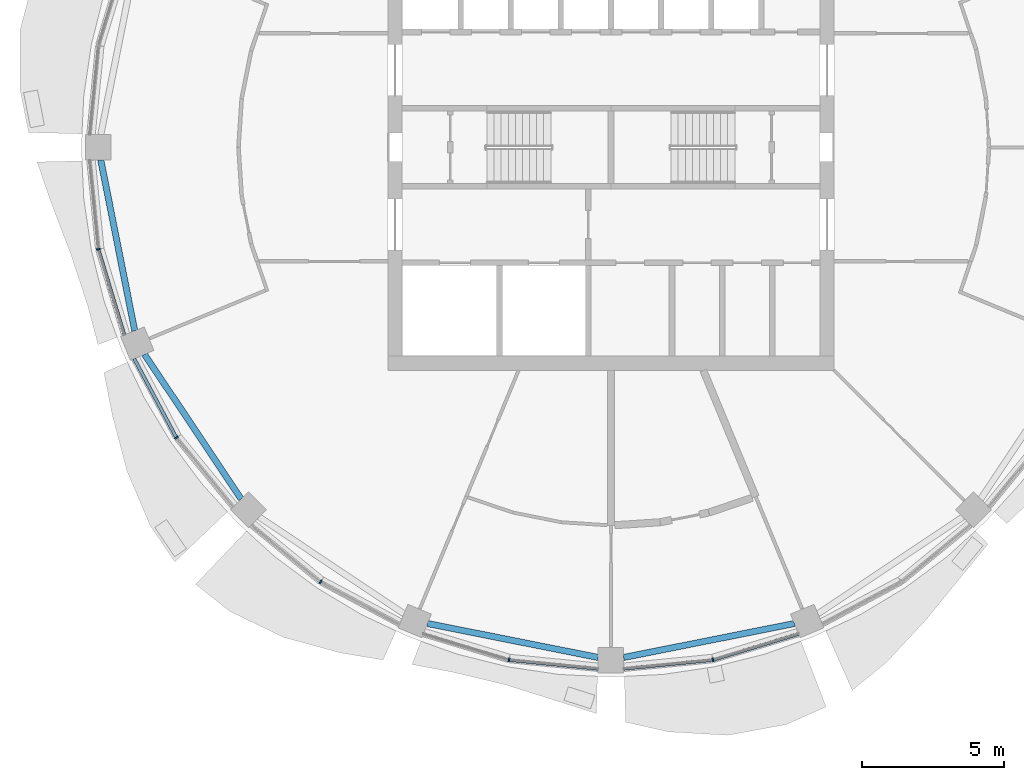
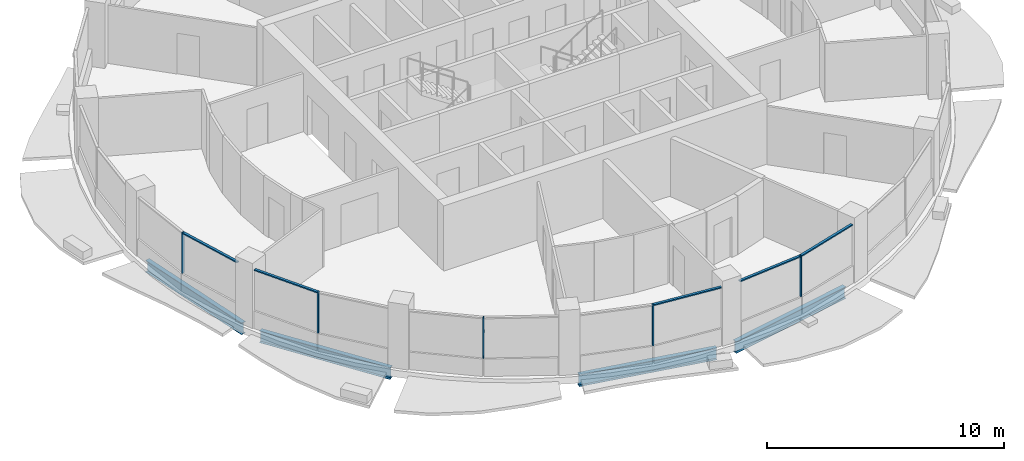
# One storey, part 2 of 15: 10 members, 4 beams, 5 elements without a shape of their own.
"""IFC4 building model written with IfcOpenShell, lengths in metres."""

from ifc_helpers import new_model, si_unit, direction, frame, origin, origin_2d, place, context, subcontext, project, spatial, rectangle, i_section, extrude, material, material_profile, profile_set, type_object, element, aggregate, save


model = new_model("IFC4")

# Units and contexts
model_context = context("Model", 3, precision=1e-05, world=origin(), true_north=direction((0.0, 1.0)))
body_context = subcontext(model_context, "Body", "Model", "MODEL_VIEW")
ifc_project = project(units=[si_unit("LENGTHUNIT", "METRE"), si_unit("AREAUNIT", "SQUARE_METRE"), si_unit("VOLUMEUNIT", "CUBIC_METRE"), si_unit("PLANEANGLEUNIT", "RADIAN"), si_unit("MASSUNIT", "GRAM", prefix="KILO")], contexts=[model_context])

# Site, building, storey
site_placement = place(None, origin())
site = spatial("IfcSite", under=ifc_project, at=site_placement, CompositionType="ELEMENT")
building_placement = place(site_placement, origin())
building = spatial("IfcBuilding", under=site, at=building_placement, Name="Polderwave Tower", CompositionType="ELEMENT")
storey_placement = place(building_placement, frame((0.0, 0.0, 174.25)))
storey = spatial("IfcBuildingStorey", under=building, at=storey_placement, Name="L46", CompositionType="ELEMENT", Elevation=174.25)

# Curtain wall, member
ifc_material_1 = material(Name="Aluminium 6063-T6 and glass", Category="aluminium")
curtain_wall_type = type_object("IfcCurtainWallType", Name="Office ribbon glazing wall", PredefinedType="NOTDEFINED", material=ifc_material_1)
curtain_wall_1_placement = place(storey_placement, origin())
curtain_wall_1 = element("IfcCurtainWall", 1, at=curtain_wall_1_placement, inside=storey, type_object=curtain_wall_type, Name="CW3 L46 08", PredefinedType="NOTDEFINED")
ifc_material_2 = material(Name="Aluminium 6063-T6", Category="aluminium")
ifc_material_profile_1 = material_profile(ifc_material_2, rectangle(XDim=0.139892578125, YDim=0.054931640625, at=origin_2d()), Name="AL 55x140")
ifc_profile_set_1 = profile_set([ifc_material_profile_1], Name="Aluminium 6063-T6")
member_type_1 = type_object("IfcMemberType", Name="Office ribbon glazing mullion 55x140", PredefinedType="MULLION", material=ifc_profile_set_1)
member_1_placement = place(storey_placement, frame((-18.094970703125, -3.59912109375, 0.89990234375), z_axis=(0.0, 0.0, 1.0), x_axis=(0.980783918392, 0.195097169184, 0.0)))
member_1 = element("IfcMember", 2, at=member_1_placement, type_object=member_type_1, Name="CW3 mullion 1", PredefinedType="MULLION", context=body_context, shape_type="SweptSolid", body=[
    extrude(rectangle(XDim=0.139892578125, YDim=0.054931640625, at=origin_2d()), origin(), (0.0, 0.0, 1.0), 2.10009765625),
])

curtain_wall_2_placement = place(storey_placement, origin())
curtain_wall_2 = element("IfcCurtainWall", 3, at=curtain_wall_2_placement, inside=storey, type_object=curtain_wall_type, Name="CW3 L46 09", PredefinedType="NOTDEFINED")
member_2_placement = place(storey_placement, frame((-15.341064453125, -10.25, 0.89990234375), z_axis=(0.0, 0.0, 1.0), x_axis=(0.831547176436, 0.555454132545, 0.0)))
member_2 = element("IfcMember", 4, at=member_2_placement, type_object=member_type_1, Name="CW3 mullion 1", PredefinedType="MULLION", context=body_context, shape_type="SweptSolid", body=[
    extrude(rectangle(XDim=0.139892578125, YDim=0.054931640625, at=origin_2d()), origin(), (0.0, 0.0, 1.0), 2.10009765625),
])

curtain_wall_3_placement = place(storey_placement, origin())
curtain_wall_3 = element("IfcCurtainWall", 5, at=curtain_wall_3_placement, inside=storey, type_object=curtain_wall_type, Name="CW3 L46 10", PredefinedType="NOTDEFINED")
member_3_placement = place(storey_placement, frame((-10.25, -15.341064453125, 0.89990234375), z_axis=(0.0, 0.0, 1.0), x_axis=(0.555454132545, 0.831547176436, 0.0)))
member_3 = element("IfcMember", 6, at=member_3_placement, type_object=member_type_1, Name="CW3 mullion 1", PredefinedType="MULLION", context=body_context, shape_type="SweptSolid", body=[
    extrude(rectangle(XDim=0.139892578125, YDim=0.054931640625, at=origin_2d()), origin(), (0.0, 0.0, 1.0), 2.10009765625),
])
aggregate(curtain_wall_3, [member_3])

curtain_wall_4_placement = place(storey_placement, origin())
curtain_wall_4 = element("IfcCurtainWall", 7, at=curtain_wall_4_placement, inside=storey, type_object=curtain_wall_type, Name="CW3 L46 11", PredefinedType="NOTDEFINED")
member_4_placement = place(storey_placement, frame((-3.59912109375, -18.094970703125, 0.89990234375), z_axis=(0.0, 0.0, 1.0), x_axis=(0.195097169184, 0.980783918392, 0.0)))
member_4 = element("IfcMember", 8, at=member_4_placement, type_object=member_type_1, Name="CW3 mullion 1", PredefinedType="MULLION", context=body_context, shape_type="SweptSolid", body=[
    extrude(rectangle(XDim=0.139892578125, YDim=0.054931640625, at=origin_2d()), origin(), (0.0, 0.0, 1.0), 2.10009765625),
])

curtain_wall_5_placement = place(storey_placement, origin())
curtain_wall_5 = element("IfcCurtainWall", 9, at=curtain_wall_5_placement, inside=storey, type_object=curtain_wall_type, Name="CW3 L46 12", PredefinedType="NOTDEFINED")
member_5_placement = place(storey_placement, frame((3.59912109375, -18.094970703125, 0.89990234375), z_axis=(0.0, 0.0, 1.0), x_axis=(-0.195097169184, 0.980783918392, 0.0)))
member_5 = element("IfcMember", 10, at=member_5_placement, type_object=member_type_1, Name="CW3 mullion 1", PredefinedType="MULLION", context=body_context, shape_type="SweptSolid", body=[
    extrude(rectangle(XDim=0.139892578125, YDim=0.054931640625, at=origin_2d()), origin(), (0.0, 0.0, 1.0), 2.10009765625),
])

# Member
ifc_material_profile_2 = material_profile(ifc_material_2, rectangle(XDim=0.1201171875, YDim=0.06005859375, at=origin_2d()), Name="AL 60x120")
ifc_profile_set_2 = profile_set([ifc_material_profile_2], Name="Aluminium 6063-T6")
member_type_2 = type_object("IfcMemberType", Name="Office ribbon glazing transom 60x120", PredefinedType="USERDEFINED", material=ifc_profile_set_2)
member_6_placement = place(storey_placement, frame((-18.0869140625, -3.625244140625, 2.969970703125), z_axis=(0.29000955494, -0.957023749989, 0.0), x_axis=(0.957023749989, 0.29000955494, 0.0)))
member_6 = element("IfcMember", 11, at=member_6_placement, type_object=member_type_2, Name="CW3 transom 2", ObjectType="TRANSOM", PredefinedType="USERDEFINED", context=body_context, shape_type="SweptSolid", body=[
    extrude(rectangle(XDim=0.1201171875, YDim=0.06005859375, at=origin_2d()), origin(), (0.0, 0.0, 1.0), 3.137451171875),
])

aggregate(curtain_wall_1, [member_1, member_6])

member_7_placement = place(storey_placement, frame((-16.83203125, -7.458984375, 2.969970703125), z_axis=(0.471210255925, -0.882020915121, 0.0), x_axis=(0.882020915121, 0.471210255925, 0.0)))
member_7 = element("IfcMember", 12, at=member_7_placement, type_object=member_type_2, Name="CW3 transom 1", ObjectType="TRANSOM", PredefinedType="USERDEFINED", context=body_context, shape_type="SweptSolid", body=[
    extrude(rectangle(XDim=0.1201171875, YDim=0.06005859375, at=origin_2d()), origin(), (0.0, 0.0, 1.0), 3.13671875),
])

aggregate(curtain_wall_2, [member_2, member_7])

member_8_placement = place(storey_placement, frame((-3.571533203125, -18.09765625, 2.969970703125), z_axis=(0.995156679386, -0.098301492731, 0.0), x_axis=(0.098301492731, 0.995156679386, 0.0)))
member_8 = element("IfcMember", 13, at=member_8_placement, type_object=member_type_2, Name="CW3 transom 2", ObjectType="TRANSOM", PredefinedType="USERDEFINED", context=body_context, shape_type="SweptSolid", body=[
    extrude(rectangle(XDim=0.1201171875, YDim=0.06005859375, at=origin_2d()), origin(), (0.0, 0.0, 1.0), 3.13671875),
])

aggregate(curtain_wall_4, [member_4, member_8])

member_9_placement = place(storey_placement, frame((0.449951171875, -18.406005859375, 2.969970703125), z_axis=(0.995156679386, 0.098301492731, 0.0), x_axis=(-0.098301492731, 0.995156679386, 0.0)))
member_9 = element("IfcMember", 14, at=member_9_placement, type_object=member_type_2, Name="CW3 transom 1", ObjectType="TRANSOM", PredefinedType="USERDEFINED", context=body_context, shape_type="SweptSolid", body=[
    extrude(rectangle(XDim=0.1201171875, YDim=0.06005859375, at=origin_2d()), origin(), (0.0, 0.0, 1.0), 3.13671875),
])

member_10_placement = place(storey_placement, frame((3.625244140625, -18.0869140625, 2.969970703125), z_axis=(0.957023749989, 0.29000955494, 0.0), x_axis=(-0.29000955494, 0.957023749989, 0.0)))
member_10 = element("IfcMember", 15, at=member_10_placement, type_object=member_type_2, Name="CW3 transom 2", ObjectType="TRANSOM", PredefinedType="USERDEFINED", context=body_context, shape_type="SweptSolid", body=[
    extrude(rectangle(XDim=0.1201171875, YDim=0.06005859375, at=origin_2d()), origin(), (0.0, 0.0, 1.0), 3.137451171875),
])

aggregate(curtain_wall_5, [member_5, member_9, member_10])

# Beams
ifc_material_3 = material(Name="Steel S355", Category="steel")
ifc_material_profile_3 = material_profile(ifc_material_3, i_section(OverallWidth=0.219970703125, OverallDepth=0.60009765625, WebThickness=0.011962890625, FlangeThickness=0.01904296875, at=origin_2d()), Name="IPE 600")
ifc_profile_set_3 = profile_set([ifc_material_profile_3], Name="Steel S355")
beam_type = type_object("IfcBeamType", Name="RING BEAM IPE 600", PredefinedType="BEAM", material=ifc_profile_set_3)
for number, where, z_axis, x_axis, name in (
    (16, (-18.010498046875, -0.449951171875, -0.64990234375), (0.195084520666, -0.980786434346, 0.0), (0.980786434346, 0.195084520666, 0.0), "ST-RB-L46-08"),
    (17, (-16.46728515625, -7.30810546875, -0.64990234375), (0.555570937424, -0.831469141634, 0.0), (0.831469141634, 0.555570937424, 0.0), "ST-RB-L46-09"),
    (18, (-6.4765625, -16.811767578125, -0.64990234375), (0.980786434346, -0.195084520666, 0.0), (0.195084520666, 0.980786434346, 0.0), "ST-RB-L46-11"),
    (19, (0.449951171875, -18.010498046875, -0.64990234375), (0.980786434346, 0.195084520666, 0.0), (-0.195084520666, 0.980786434346, 0.0), "ST-RB-L46-12"),
):
    element("IfcBeam", number, at=place(storey_placement, frame(where, z_axis=z_axis, x_axis=x_axis)), inside=storey, type_object=beam_type, Name=name, PredefinedType="BEAM", context=body_context, shape_type="SweptSolid", body=[
        extrude(i_section(OverallWidth=0.219970703125, OverallDepth=0.60009765625, WebThickness=0.011962890625, FlangeThickness=0.01904296875, at=origin_2d()), origin(), (0.0, 0.0, 1.0), 6.144775390625),
    ])

save(model, "model.ifc")
